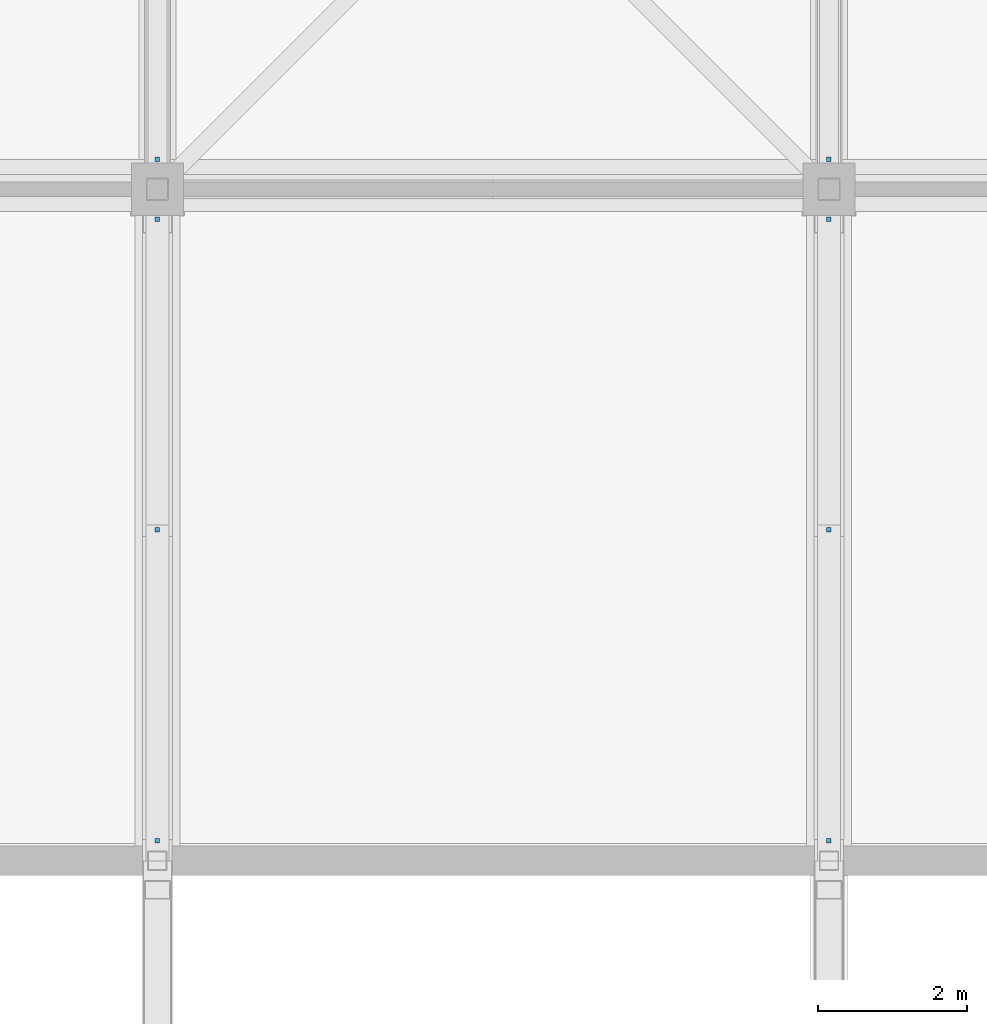
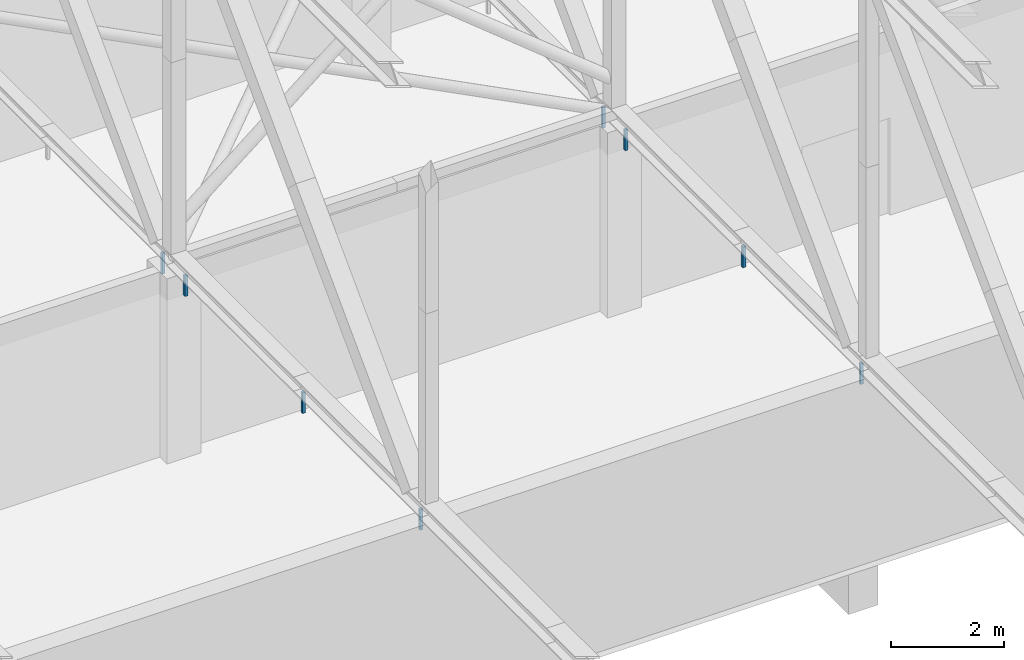
# One storey, part 205 of 646: 8 discrete accessories.
"""IFC4 building model written with IfcOpenShell, lengths in metres."""

from ifc_helpers import new_model, si_unit, direction, frame, origin, origin_2d, place, context, subcontext, project, spatial, rectangle, extrude, material, type_object, element, save


model = new_model("IFC4")

# Units and contexts
model_context = context("Model", 3, precision=1e-05, world=origin(), true_north=direction((0.0, 1.0)))
body_context = subcontext(model_context, "Body", "Model", "MODEL_VIEW")
ifc_project = project(units=[si_unit("LENGTHUNIT", "METRE"), si_unit("AREAUNIT", "SQUARE_METRE"), si_unit("VOLUMEUNIT", "CUBIC_METRE"), si_unit("PLANEANGLEUNIT", "RADIAN"), si_unit("MASSUNIT", "GRAM", prefix="KILO")], contexts=[model_context])

# Site, building, storey
site_placement = place(None, origin())
site = spatial("IfcSite", under=ifc_project, at=site_placement, CompositionType="ELEMENT")
building_placement = place(site_placement, origin())
building = spatial("IfcBuilding", under=site, at=building_placement, Name="Silverbay Arena", CompositionType="ELEMENT")
storey_placement = place(building_placement, frame((0.0, 0.0, 33.5)))
storey = spatial("IfcBuildingStorey", under=building, at=storey_placement, Name="L05", CompositionType="ELEMENT", Elevation=33.5)

# Discrete accessories
ifc_material = material(Name="Steel S355", Category="steel")
discrete_accessory_type = type_object("IfcDiscreteAccessoryType", Name="Ceiling hanger", PredefinedType="BRACKET", material=ifc_material)
for number, where, z_axis, x_axis, name in (
    (1, (126.0, 126.27001953125, 3.5498046875), (0.0, 0.0, 1.0), (1.0, 0.0, 0.0), "Ceiling hanger"),
    (2, (126.0, 130.43505859375, 3.5498046875), (0.0, 0.0, 1.0), (1.0, 0.0, 0.0), "Ceiling hanger"),
    (3, (126.0, 134.60009765625, 3.5498046875), (0.0, 0.0, 1.0), (1.0, 0.0, 0.0), "Ceiling hanger"),
    (4, (135.0, 126.27001953125, 3.5498046875), (0.0, 0.0, 1.0), (1.0, 0.0, 0.0), "Ceiling hanger"),
    (5, (135.0, 130.43505859375, 3.5498046875), (0.0, 0.0, 1.0), (1.0, 0.0, 0.0), "Ceiling hanger"),
    (6, (135.0, 134.60009765625, 3.5498046875), (0.0, 0.0, 1.0), (1.0, 0.0, 0.0), "Ceiling hanger"),
    (7, (126.0, 135.39990234375, 3.5498046875), (0.0, 0.0, 1.0), (1.0, 0.0, 0.0), "Ceiling hanger"),
    (8, (135.0, 135.39990234375, 3.5498046875), (0.0, 0.0, 1.0), (1.0, 0.0, 0.0), "Ceiling hanger"),
):
    element("IfcDiscreteAccessory", number, at=place(storey_placement, frame(where, z_axis=z_axis, x_axis=x_axis)), inside=storey, type_object=discrete_accessory_type, Name=name, PredefinedType="BRACKET", context=body_context, shape_type="SweptSolid", body=[
        extrude(rectangle(XDim=0.06005859375, YDim=0.06005859375, at=origin_2d()), origin(), (0.0, 0.0, 1.0), 0.449951171875),
    ])

save(model, "model.ifc")
